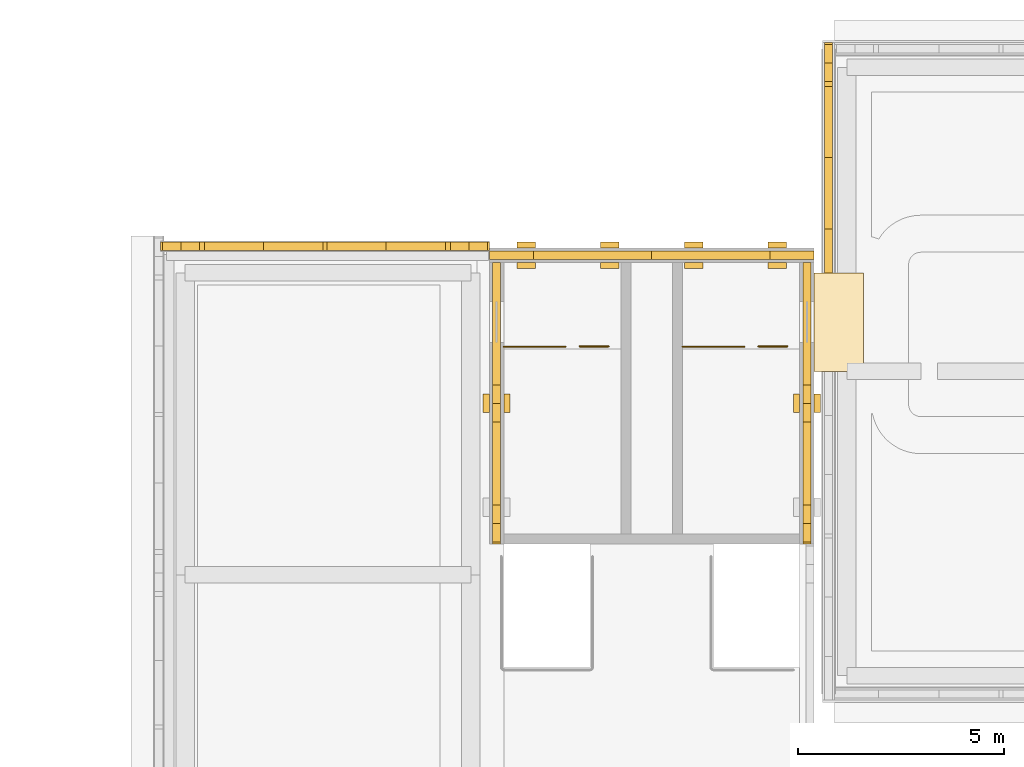
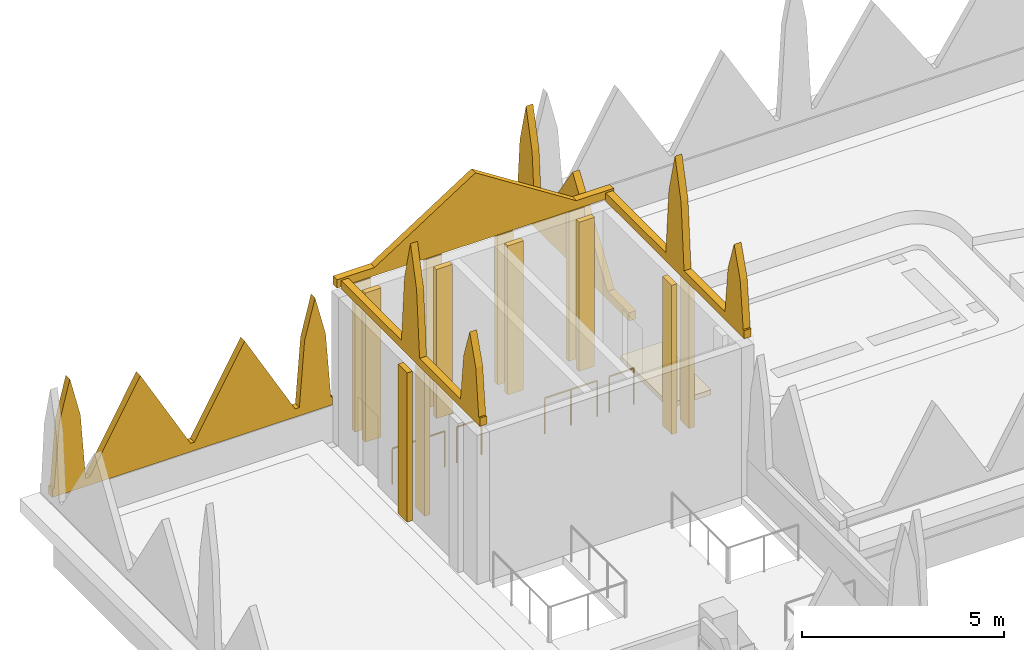
# One storey, part 44 of 46: 18 coverings, 4 railings.
"""IFC4 building model written with IfcOpenShell, lengths in metres."""

from ifc_helpers import new_model, si_unit, direction, frame, frame_2d, origin, origin_2d, place, context, subcontext, project, spatial, polyline, rectangle, circle, outline, extrude, material, layer, layer_set, type_object, element, save


model = new_model("IFC4")

# Units and contexts
model_context = context("Model", 3, precision=1e-05, world=origin(), true_north=direction((0.0, 1.0)))
body_context = subcontext(model_context, "Body", "Model", "MODEL_VIEW")
ifc_project = project(units=[si_unit("LENGTHUNIT", "METRE"), si_unit("AREAUNIT", "SQUARE_METRE"), si_unit("VOLUMEUNIT", "CUBIC_METRE"), si_unit("PLANEANGLEUNIT", "RADIAN"), si_unit("MASSUNIT", "GRAM", prefix="KILO")], contexts=[model_context])

# Site, building, storey
site_placement = place(None, origin())
site = spatial("IfcSite", under=ifc_project, at=site_placement, CompositionType="ELEMENT")
building_placement = place(site_placement, origin())
building = spatial("IfcBuilding", under=site, at=building_placement, Name="Lantern Court Media Centre", CompositionType="ELEMENT")
storey_placement = place(building_placement, frame((0.0, 0.0, 28.800048828125)))
storey = spatial("IfcBuildingStorey", under=building, at=storey_placement, Name="L06", CompositionType="ELEMENT", Elevation=28.800048828125)

# Railings
ifc_material_1 = material(Name="Powder-coated steel", Category="steel")
railing_type_1 = type_object("IfcRailingType", Name="Floor edge guard 1100", PredefinedType="GUARDRAIL", material=ifc_material_1)
for number, where, name in (
    (1, (18.1962890625, 109.609619140625, 0.0), "L06 opening guard 152"),
    (2, (22.54638671875, 109.609619140625, 0.0), "L06 opening guard 153"),
):
    element("IfcRailing", number, at=place(storey_placement, frame(where)), inside=storey, type_object=railing_type_1, Name=name, PredefinedType="GUARDRAIL", context=body_context, shape_type="SweptSolid", body=[
        extrude(circle(Radius=0.02392578125, at=origin_2d()), frame((0.0, 0.0, 1.076171875), z_axis=(1.0, 0.0, 0.0), x_axis=(0.0, 1.0, 0.0)), (0.0, 0.0, 1.0), 0.70361328125),
        extrude(circle(Radius=0.02099609375, at=origin_2d()), origin(), (0.0, 0.0, 1.0), 1.052001953125),
        extrude(circle(Radius=0.02099609375, at=origin_2d()), frame((0.70361328125, 0.0, 0.0)), (0.0, 0.0, 1.0), 1.052001953125),
    ])

# Coverings
ifc_material_2 = material(Name="Honed limestone cladding on blockwork", Category="masonry")
ifc_layer_1 = layer(ifc_material_2, 0.199951171875)
ifc_layer_set_1 = layer_set([ifc_layer_1], Name="Honed limestone cladding on blockwork")
covering_type_1 = type_object("IfcCoveringType", Name="Limestone cresting 200", PredefinedType="CLADDING", material=ifc_layer_set_1)
covering_1_placement = place(storey_placement, frame((8.0, 112.044921875, 1.099853515625), z_axis=(0.0, 0.0, 1.0), x_axis=(1.0, 0.0, 0.0)))
element("IfcCovering", 3, at=covering_1_placement, inside=storey, type_object=covering_type_1, Name="Parapet cresting", PredefinedType="CLADDING", context=body_context, shape_type="SweptSolid", body=[
    extrude(outline(polyline([(0.0, 0.0), (8.0, 0.0), (8.0, 0.25), (7.949951171875, 0.25), (7.800048828125, 2.210205078125), (7.5, 3.400146484375), (7.199951171875, 2.210205078125), (7.050048828125, 0.25), (6.929931640625, 0.25), (5.489990234375, 2.800048828125), (4.050048828125, 0.25), (3.949951171875, 0.25), (2.510009765625, 2.800048828125), (1.070068359375, 0.25), (0.949951171875, 0.25), (0.800048828125, 2.210205078125), (0.5, 3.400146484375), (0.199951171875, 2.210205078125), (0.050048828125, 0.25), (0.0, 0.25), (0.0, 0.0)])), frame((0.0, 0.10009765625, 0.0), z_axis=(0.0, -1.0, 0.0), x_axis=(1.0, 0.0, 0.0)), (0.0, 0.0, 1.0), 0.199951171875),
])
covering_2_placement = place(storey_placement, frame((24.25, 111.39990234375, 1.099853515625), z_axis=(0.0, 0.0, 1.0), x_axis=(0.0, 1.0, 0.0)))
element("IfcCovering", 4, at=covering_2_placement, inside=storey, type_object=covering_type_1, Name="Parapet cresting", PredefinedType="CLADDING", context=body_context, shape_type="SweptSolid", body=[
    extrude(outline(polyline([(0.0, 0.0), (5.60009765625, 0.0), (5.60009765625, 0.25), (5.550048828125, 0.25), (5.39990234375, 2.210205078125), (5.10009765625, 3.400146484375), (4.800048828125, 2.210205078125), (4.64990234375, 0.25), (4.530029296875, 0.25), (2.800048828125, 2.800048828125), (1.070068359375, 0.25), (0.0, 0.25), (0.0, 0.0)])), frame((0.0, 0.10009765625, 0.0), z_axis=(0.0, -1.0, 0.0), x_axis=(1.0, 0.0, 0.0)), (0.0, 0.0, 1.0), 0.199951171875),
])
covering_3_placement = place(storey_placement, frame((16.0, 111.824951171875, 4.75), z_axis=(0.0, 0.0, 1.0), x_axis=(1.0, 0.0, 0.0)))
element("IfcCovering", 5, at=covering_3_placement, inside=storey, type_object=covering_type_1, Name="Roof box cresting", PredefinedType="CLADDING", context=body_context, shape_type="SweptSolid", body=[
    extrude(outline(polyline([(0.0, 0.0), (7.89990234375, 0.0), (7.89990234375, 0.25), (6.830078125, 0.25), (3.949951171875, 2.099853515625), (1.070068359375, 0.25), (0.0, 0.25), (0.0, 0.0)])), frame((0.0, 0.10009765625, 0.0), z_axis=(0.0, -1.0, 0.0), x_axis=(1.0, 0.0, 0.0)), (0.0, 0.0, 1.0), 0.199951171875),
])
for number, where, z_axis, x_axis, name in (
    (6, (16.175048828125, 111.64990234375, 4.75), (0.0, 0.0, 1.0), (0.0, -1.0, 0.0), "Roof box cresting"),
    (7, (23.72509765625, 111.64990234375, 4.75), (0.0, 0.0, 1.0), (0.0, -1.0, 0.0), "Roof box cresting"),
):
    element("IfcCovering", number, at=place(storey_placement, frame(where, z_axis=z_axis, x_axis=x_axis)), inside=storey, type_object=covering_type_1, Name=name, PredefinedType="CLADDING", context=body_context, shape_type="SweptSolid", body=[
        extrude(outline(polyline([(0.0, 0.0), (6.849853515625, 0.0), (6.85009765625, 0.25), (6.800048828125, 0.25), (6.64990234375, 1.657470703125), (6.35009765625, 2.550048828125), (6.050048828125, 1.657470703125), (5.89990234375, 0.25), (3.875, 0.25), (3.72509765625, 2.237548828125), (3.425048828125, 3.4423828125), (3.125, 2.237548828125), (2.97509765625, 0.25), (0.0, 0.25), (0.0, 0.0)])), frame((0.0, 0.10009765625, 0.0), z_axis=(0.0, -1.0, 0.0), x_axis=(1.0, 0.0, 0.0)), (0.0, 0.0, 1.0), 0.199951171875),
    ])
ifc_material_3 = material(Name="Honed limestone cladding", Category="masonry")
ifc_layer_2 = layer(ifc_material_3, 0.14990234375)
ifc_layer_set_2 = layer_set([ifc_layer_2], Name="Honed limestone cladding")
covering_type_2 = type_object("IfcCoveringType", Name="Limestone pilaster cladding 150", PredefinedType="CLADDING", material=ifc_layer_set_2)
covering_4_placement = place(storey_placement, frame((16.675048828125, 112.074951171875, 0.0), z_axis=(0.0, 0.0, 1.0), x_axis=(1.0, 0.0, 0.0)))
element("IfcCovering", 8, at=covering_4_placement, inside=storey, type_object=covering_type_2, Name="Limestone pilaster rib", PredefinedType="CLADDING", context=body_context, shape_type="SweptSolid", body=[
    extrude(rectangle(XDim=0.449951171875, YDim=0.14990234375, at=frame_2d((0.22509765625, 0.0))), origin(), (0.0, 0.0, 1.0), 4.5),
])
covering_5_placement = place(storey_placement, frame((18.708251953125, 112.074951171875, 0.0), z_axis=(0.0, 0.0, 1.0), x_axis=(1.0, 0.0, 0.0)))
element("IfcCovering", 9, at=covering_5_placement, inside=storey, type_object=covering_type_2, Name="Limestone pilaster rib", PredefinedType="CLADDING", context=body_context, shape_type="SweptSolid", body=[
    extrude(rectangle(XDim=0.4501953125, YDim=0.14990234375, at=frame_2d((0.22509765625, 0.0))), origin(), (0.0, 0.0, 1.0), 4.5),
])
covering_6_placement = place(storey_placement, frame((20.74169921875, 112.074951171875, 0.0), z_axis=(0.0, 0.0, 1.0), x_axis=(1.0, 0.0, 0.0)))
element("IfcCovering", 10, at=covering_6_placement, inside=storey, type_object=covering_type_2, Name="Limestone pilaster rib", PredefinedType="CLADDING", context=body_context, shape_type="SweptSolid", body=[
    extrude(rectangle(XDim=0.449951171875, YDim=0.14990234375, at=frame_2d((0.22509765625, 0.0))), origin(), (0.0, 0.0, 1.0), 4.5),
])
covering_7_placement = place(storey_placement, frame((22.77490234375, 112.074951171875, 0.0), z_axis=(0.0, 0.0, 1.0), x_axis=(1.0, 0.0, 0.0)))
element("IfcCovering", 11, at=covering_7_placement, inside=storey, type_object=covering_type_2, Name="Limestone pilaster rib", PredefinedType="CLADDING", context=body_context, shape_type="SweptSolid", body=[
    extrude(rectangle(XDim=0.4501953125, YDim=0.14990234375, at=frame_2d((0.22509765625, 0.0))), origin(), (0.0, 0.0, 1.0), 4.5),
])
covering_8_placement = place(storey_placement, frame((16.675048828125, 111.574951171875, 0.0), z_axis=(0.0, 0.0, 1.0), x_axis=(1.0, 0.0, 0.0)))
element("IfcCovering", 12, at=covering_8_placement, inside=storey, type_object=covering_type_2, Name="Limestone pilaster rib", PredefinedType="CLADDING", context=body_context, shape_type="SweptSolid", body=[
    extrude(rectangle(XDim=0.449951171875, YDim=0.14990234375, at=frame_2d((0.22509765625, 0.0))), origin(), (0.0, 0.0, 1.0), 4.5),
])
covering_9_placement = place(storey_placement, frame((18.708251953125, 111.574951171875, 0.0), z_axis=(0.0, 0.0, 1.0), x_axis=(1.0, 0.0, 0.0)))
element("IfcCovering", 13, at=covering_9_placement, inside=storey, type_object=covering_type_2, Name="Limestone pilaster rib", PredefinedType="CLADDING", context=body_context, shape_type="SweptSolid", body=[
    extrude(rectangle(XDim=0.4501953125, YDim=0.14990234375, at=frame_2d((0.22509765625, 0.0))), origin(), (0.0, 0.0, 1.0), 4.5),
])
covering_10_placement = place(storey_placement, frame((20.74169921875, 111.574951171875, 0.0), z_axis=(0.0, 0.0, 1.0), x_axis=(1.0, 0.0, 0.0)))
element("IfcCovering", 14, at=covering_10_placement, inside=storey, type_object=covering_type_2, Name="Limestone pilaster rib", PredefinedType="CLADDING", context=body_context, shape_type="SweptSolid", body=[
    extrude(rectangle(XDim=0.449951171875, YDim=0.14990234375, at=frame_2d((0.22509765625, 0.0))), origin(), (0.0, 0.0, 1.0), 4.5),
])
covering_11_placement = place(storey_placement, frame((22.77490234375, 111.574951171875, 0.0), z_axis=(0.0, 0.0, 1.0), x_axis=(1.0, 0.0, 0.0)))
element("IfcCovering", 15, at=covering_11_placement, inside=storey, type_object=covering_type_2, Name="Limestone pilaster rib", PredefinedType="CLADDING", context=body_context, shape_type="SweptSolid", body=[
    extrude(rectangle(XDim=0.4501953125, YDim=0.14990234375, at=frame_2d((0.22509765625, 0.0))), origin(), (0.0, 0.0, 1.0), 4.5),
])
for number, where, z_axis, x_axis, name in (
    (16, (16.425048828125, 108.449951171875, 0.0), (0.0, 0.0, 1.0), (0.0, -1.0, 0.0), "Limestone pilaster rib"),
    (17, (15.925048828125, 108.449951171875, 0.0), (0.0, 0.0, 1.0), (0.0, -1.0, 0.0), "Limestone pilaster rib"),
    (18, (23.97509765625, 108.449951171875, 0.0), (0.0, 0.0, 1.0), (0.0, -1.0, 0.0), "Limestone pilaster rib"),
    (19, (23.47509765625, 108.449951171875, 0.0), (0.0, 0.0, 1.0), (0.0, -1.0, 0.0), "Limestone pilaster rib"),
):
    element("IfcCovering", number, at=place(storey_placement, frame(where, z_axis=z_axis, x_axis=x_axis)), inside=storey, type_object=covering_type_2, Name=name, PredefinedType="CLADDING", context=body_context, shape_type="SweptSolid", body=[
        extrude(rectangle(XDim=0.449951171875, YDim=0.14990234375, at=frame_2d((0.22509765625, 0.0))), origin(), (0.0, 0.0, 1.0), 4.5),
    ])
ifc_material_4 = material(Name="Limestone paving slab", Category="masonry")
ifc_layer_3 = layer(ifc_material_4, 0.14990234375)
ifc_layer_set_3 = layer_set([ifc_layer_3], Name="Limestone paving slab")
covering_type_3 = type_object("IfcCoveringType", Name="Roof walkway pavers 150", PredefinedType="FLOORING", material=ifc_layer_set_3)
covering_12_placement = place(storey_placement, origin())
element("IfcCovering", 20, at=covering_12_placement, inside=storey, type_object=covering_type_3, Name="Roof walkway N-NW", PredefinedType="FLOORING", context=body_context, shape_type="SweptSolid", body=[
    extrude(outline(polyline([(23.89990234375, 109.0), (23.89990234375, 111.39990234375), (25.10009765625, 111.39990234375), (25.10009765625, 109.0), (23.89990234375, 109.0)])), origin(), (0.0, 0.0, 1.0), 0.14990234375),
])

# Railings
railing_type_2 = type_object("IfcRailingType", Name="Stair guard 1100", PredefinedType="GUARDRAIL", material=ifc_material_1)
for number, where, name in (
    (21, (16.35009765625, 109.60009765625, 0.0), "L06 ST-NWA top well guard 1"),
    (22, (20.699951171875, 109.60009765625, 0.0), "L06 ST-NWB top well guard 1"),
):
    element("IfcRailing", number, at=place(storey_placement, frame(where)), inside=storey, type_object=railing_type_2, Name=name, PredefinedType="GUARDRAIL", context=body_context, shape_type="SweptSolid", body=[
        extrude(circle(Radius=0.02392578125, at=origin_2d()), frame((0.0, 0.0, 1.076171875), z_axis=(1.0, 0.0, 0.0), x_axis=(0.0, 1.0, 0.0)), (0.0, 0.0, 1.0), 1.5),
        extrude(circle(Radius=0.02099609375, at=origin_2d()), origin(), (0.0, 0.0, 1.0), 1.052001953125),
        extrude(circle(Radius=0.02099609375, at=origin_2d()), frame((0.75, 0.0, 0.0)), (0.0, 0.0, 1.0), 1.052001953125),
        extrude(circle(Radius=0.02099609375, at=origin_2d()), frame((1.5, 0.0, 0.0)), (0.0, 0.0, 1.0), 1.052001953125),
    ])

save(model, "model.ifc")
